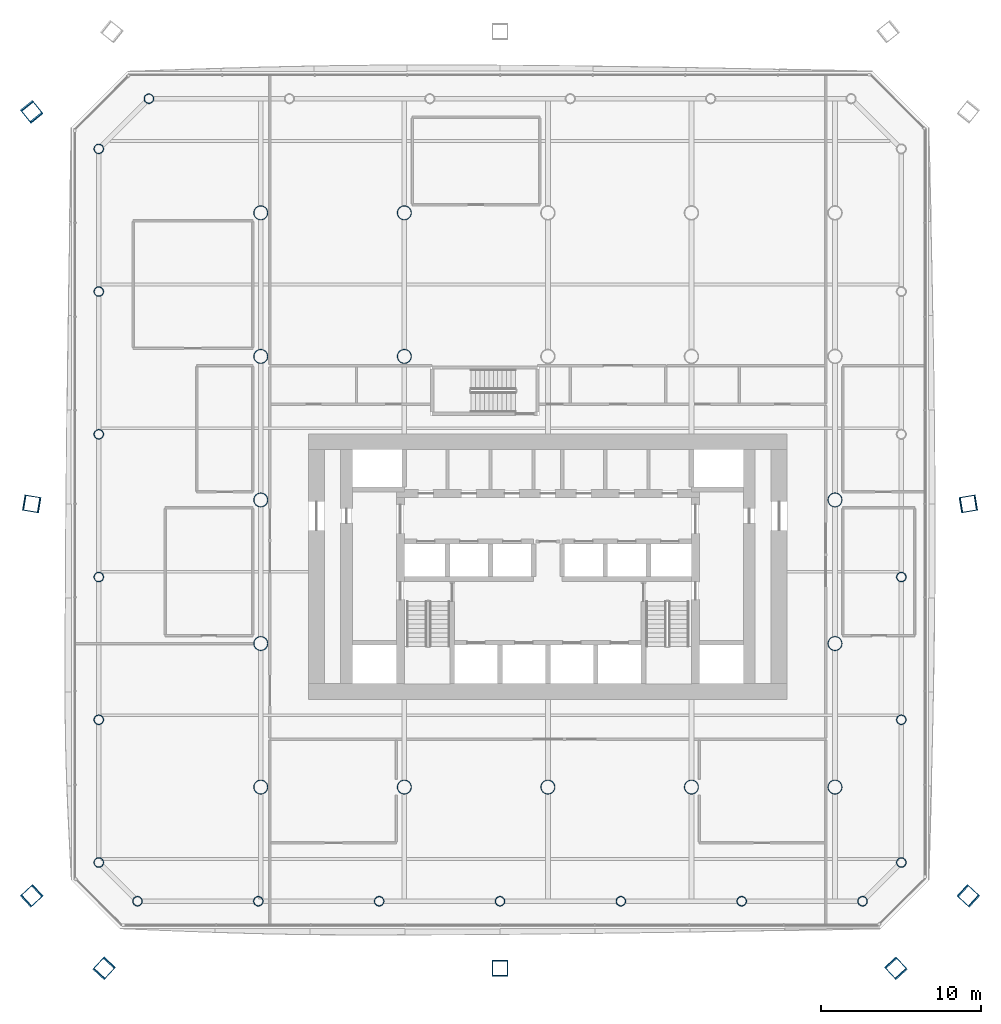
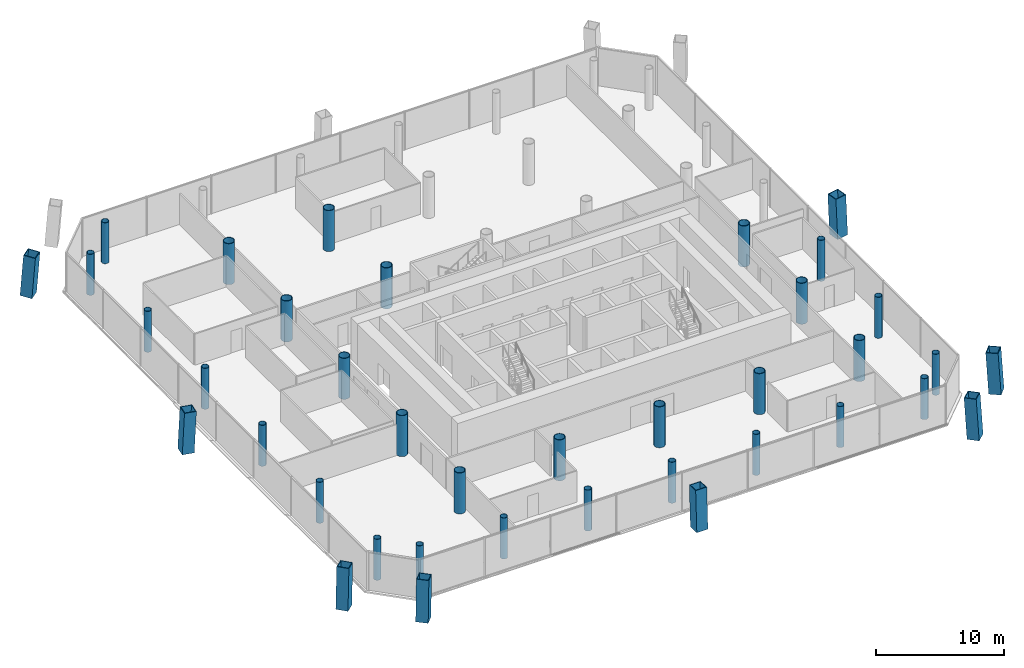
# One storey, part 1 of 21: 38 columns.
"""IFC4 building model written with IfcOpenShell, lengths in metres."""

from ifc_helpers import new_model, si_unit, direction, frame, origin, origin_2d, place, context, subcontext, project, spatial, hollow_rectangle, hollow_circle, extrude, material, material_profile, profile_set, type_object, element, save


model = new_model("IFC4")

# Units and contexts
model_context = context("Model", 3, precision=1e-05, world=origin(), true_north=direction((0.0, 1.0)))
body_context = subcontext(model_context, "Body", "Model", "MODEL_VIEW")
ifc_project = project(units=[si_unit("LENGTHUNIT", "METRE"), si_unit("AREAUNIT", "SQUARE_METRE"), si_unit("VOLUMEUNIT", "CUBIC_METRE"), si_unit("PLANEANGLEUNIT", "RADIAN"), si_unit("MASSUNIT", "GRAM", prefix="KILO")], contexts=[model_context])

# Site, building, storey
site_placement = place(None, origin())
site = spatial("IfcSite", under=ifc_project, at=site_placement, CompositionType="ELEMENT")
building_placement = place(site_placement, origin())
building = spatial("IfcBuilding", under=site, at=building_placement, Name="Tskaro Facet Tower", CompositionType="ELEMENT")
storey_placement = place(building_placement, frame((0.0, 0.0, 42.0)))
storey = spatial("IfcBuildingStorey", under=building, at=storey_placement, Name="L09", CompositionType="ELEMENT", Elevation=42.0)

# Columns
ifc_material_1 = material(Name="Steel S460M", Category="steel")
ifc_material_profile_1 = material_profile(ifc_material_1, hollow_rectangle(XDim=1.0, YDim=1.0, WallThickness=0.06005859375, at=origin_2d()), Name="BOX 1000x1000x60")
ifc_profile_set_1 = profile_set([ifc_material_profile_1], Name="Steel S460M")
column_type_1 = type_object("IfcColumnType", Name="BOX 1000x1000x60 mega column", PredefinedType="COLUMN", material=ifc_profile_set_1)
column_1_placement = place(storey_placement, frame((-27.846923828125, -29.388916015625, 0.0), z_axis=(0.042734014709, 0.04654508912, 0.998001682697), x_axis=(-0.736620357353, 0.676306475744, 0.0)))
element("IfcColumn", 1, at=column_1_placement, inside=storey, type_object=column_type_1, Name="BOX 1000x1000x60 MC01/1", PredefinedType="COLUMN", context=body_context, shape_type="SweptSolid", body=[
    extrude(hollow_rectangle(XDim=1.0, YDim=1.0, WallThickness=0.06005859375, at=origin_2d()), origin(), (0.0, 0.0, 1.0), 3.90771484375),
])
column_2_placement = place(storey_placement, frame((-3.0, -29.388916015625, 0.0), z_axis=(0.0, 0.046587647648, 0.998914206069), x_axis=(-1.0, 0.0, 0.0)))
element("IfcColumn", 2, at=column_2_placement, inside=storey, type_object=column_type_1, Name="BOX 1000x1000x60 MC02/1", PredefinedType="COLUMN", context=body_context, shape_type="SweptSolid", body=[
    extrude(hollow_rectangle(XDim=1.0, YDim=1.0, WallThickness=0.06005859375, at=origin_2d()), origin(), (0.0, 0.0, 1.0), 3.904052734375),
])
for number, where, z_axis, x_axis, name in (
    (3, (21.846923828125, -29.388916015625, 0.0), (-0.042734014709, 0.04654508912, 0.998001682697), (-0.736620357353, -0.676306475744, 0.0), "BOX 1000x1000x60 MC03/1"),
    (4, (26.388916015625, -24.846923828125, 0.0), (-0.04654508912, 0.042734014709, 0.998001682697), (-0.676306475744, -0.736620357353, 0.0), "BOX 1000x1000x60 MC04/1"),
):
    element("IfcColumn", number, at=place(storey_placement, frame(where, z_axis=z_axis, x_axis=x_axis)), inside=storey, type_object=column_type_1, Name=name, PredefinedType="COLUMN", context=body_context, shape_type="SweptSolid", body=[
        extrude(hollow_rectangle(XDim=1.0, YDim=1.0, WallThickness=0.06005859375, at=origin_2d()), origin(), (0.0, 0.0, 1.0), 3.90771484375),
    ])
column_3_placement = place(storey_placement, frame((26.388916015625, -0.239013671875, 0.0), z_axis=(-0.046586269611, -0.007691424379, 0.998884658744), x_axis=(0.162895476227, -0.986643331617, 0.0)))
element("IfcColumn", 5, at=column_3_placement, inside=storey, type_object=column_type_1, Name="BOX 1000x1000x60 MC05/1", PredefinedType="COLUMN", context=body_context, shape_type="SweptSolid", body=[
    extrude(hollow_rectangle(XDim=1.0, YDim=1.0, WallThickness=0.06005859375, at=origin_2d()), origin(), (0.0, 0.0, 1.0), 3.904296875),
])
column_4_placement = place(storey_placement, frame((-32.388916015625, 24.368896484375, 0.0), z_axis=(0.046509231833, -0.057996075669, 0.997232844706), x_axis=(0.78013092104, 0.625616292976, 0.0)))
element("IfcColumn", 6, at=column_4_placement, inside=storey, type_object=column_type_1, Name="BOX 1000x1000x60 MC10/1", PredefinedType="COLUMN", context=body_context, shape_type="SweptSolid", body=[
    extrude(hollow_rectangle(XDim=1.0, YDim=1.0, WallThickness=0.06005859375, at=origin_2d()), origin(), (0.0, 0.0, 1.0), 3.91064453125),
])
column_5_placement = place(storey_placement, frame((-32.388916015625, -0.239013671875, 0.0), z_axis=(0.046586269611, -0.007691424379, 0.998884658744), x_axis=(0.162895476227, 0.986643331617, 0.0)))
element("IfcColumn", 7, at=column_5_placement, inside=storey, type_object=column_type_1, Name="BOX 1000x1000x60 MC11/1", PredefinedType="COLUMN", context=body_context, shape_type="SweptSolid", body=[
    extrude(hollow_rectangle(XDim=1.0, YDim=1.0, WallThickness=0.06005859375, at=origin_2d()), origin(), (0.0, 0.0, 1.0), 3.904296875),
])
column_6_placement = place(storey_placement, frame((-32.388916015625, -24.846923828125, 0.0), z_axis=(0.04654508912, 0.042734014709, 0.998001682697), x_axis=(-0.676306475744, 0.736620357353, 0.0)))
element("IfcColumn", 8, at=column_6_placement, inside=storey, type_object=column_type_1, Name="BOX 1000x1000x60 MC12/1", PredefinedType="COLUMN", context=body_context, shape_type="SweptSolid", body=[
    extrude(hollow_rectangle(XDim=1.0, YDim=1.0, WallThickness=0.06005859375, at=origin_2d()), origin(), (0.0, 0.0, 1.0), 3.90771484375),
])
ifc_material_2 = material(Name="Steel S355J2H", Category="steel")
ifc_material_profile_2 = material_profile(ifc_material_2, hollow_circle(Radius=0.304931640625, WallThickness=0.030029296875, at=origin_2d()), Name="CHS 610x30")
ifc_profile_set_2 = profile_set([ifc_material_profile_2], Name="Steel S355J2H")
column_type_2 = type_object("IfcColumnType", Name="CHS 610x30 ring column", PredefinedType="COLUMN", material=ifc_profile_set_2)
for number, where, z_axis, x_axis, name in (
    (9, (-25.72900390625, -25.156982421875, 0.0), (0.0, 0.0, 1.0), (1.0, 0.0, 0.0), "CHS 610x30 RS-1/1"),
    (10, (-18.153076171875, -25.156982421875, 0.0), (0.0, 0.0, 1.0), (1.0, 0.0, 0.0), "CHS 610x30 RS-2/1"),
    (11, (-10.575927734375, -25.156982421875, 0.0), (0.0, 0.0, 1.0), (1.0, 0.0, 0.0), "CHS 610x30 RS-3/1"),
    (12, (-3.0, -25.156982421875, 0.0), (0.0, 0.0, 1.0), (1.0, 0.0, 0.0), "CHS 610x30 RS-4/1"),
    (13, (4.575927734375, -25.156982421875, 0.0), (0.0, 0.0, 1.0), (1.0, 0.0, 0.0), "CHS 610x30 RS-5/1"),
    (14, (12.153076171875, -25.156982421875, 0.0), (0.0, 0.0, 1.0), (1.0, 0.0, 0.0), "CHS 610x30 RS-6/1"),
    (15, (19.72900390625, -25.156982421875, 0.0), (0.0, 0.0, 1.0), (1.0, 0.0, 0.0), "CHS 610x30 RSE-1/1"),
    (16, (22.156982421875, -22.72900390625, 0.0), (0.0, 0.0, 1.0), (1.0, 0.0, 0.0), "CHS 610x30 RE-1/1"),
    (17, (22.156982421875, -13.781005859375, 0.0), (0.0, 0.0, 1.0), (1.0, 0.0, 0.0), "CHS 610x30 RE-2/1"),
    (18, (22.156982421875, -4.8330078125, 0.0), (0.0, 0.0, 1.0), (1.0, 0.0, 0.0), "CHS 610x30 RE-3/1"),
    (19, (-25.011962890625, 25.156982421875, 0.0), (0.0, 0.0, 1.0), (1.0, 0.0, 0.0), "CHS 610x30 RNW-1/1"),
    (20, (-28.156982421875, 22.011962890625, 0.0), (0.0, 0.0, 1.0), (1.0, 0.0, 0.0), "CHS 610x30 RW-1/1"),
    (21, (-28.156982421875, 13.06396484375, 0.0), (0.0, 0.0, 1.0), (1.0, 0.0, 0.0), "CHS 610x30 RW-2/1"),
    (22, (-28.156982421875, 4.115966796875, 0.0), (0.0, 0.0, 1.0), (1.0, 0.0, 0.0), "CHS 610x30 RW-3/1"),
    (23, (-28.156982421875, -4.8330078125, 0.0), (0.0, 0.0, 1.0), (1.0, 0.0, 0.0), "CHS 610x30 RW-4/1"),
    (24, (-28.156982421875, -13.781005859375, 0.0), (0.0, 0.0, 1.0), (1.0, 0.0, 0.0), "CHS 610x30 RW-5/1"),
    (25, (-28.156982421875, -22.72900390625, 0.0), (0.0, 0.0, 1.0), (1.0, 0.0, 0.0), "CHS 610x30 RSW-1/1"),
):
    element("IfcColumn", number, at=place(storey_placement, frame(where, z_axis=z_axis, x_axis=x_axis)), inside=storey, type_object=column_type_2, Name=name, PredefinedType="COLUMN", context=body_context, shape_type="SweptSolid", body=[
        extrude(hollow_circle(Radius=0.304931640625, WallThickness=0.030029296875, at=origin_2d()), origin(), (0.0, 0.0, 1.0), 3.89990234375),
    ])
ifc_material_profile_3 = material_profile(ifc_material_2, hollow_circle(Radius=0.457275390625, WallThickness=0.050048828125, at=origin_2d()), Name="CHS 914.4x50")
ifc_profile_set_3 = profile_set([ifc_material_profile_3], Name="Steel S355J2H")
column_type_3 = type_object("IfcColumnType", Name="CHS 914.4x50 interior column", PredefinedType="COLUMN", material=ifc_profile_set_3)
for number, where, z_axis, x_axis, name in (
    (26, (-18.0, -18.0, 0.0), (0.0, 0.0, 1.0), (1.0, 0.0, 0.0), "CHS 914.4x50 C2B/1"),
    (27, (-18.0, -9.0, 0.0), (0.0, 0.0, 1.0), (1.0, 0.0, 0.0), "CHS 914.4x50 C2C/1"),
    (28, (-18.0, 0.0, 0.0), (0.0, 0.0, 1.0), (1.0, 0.0, 0.0), "CHS 914.4x50 C2D/1"),
    (29, (-18.0, 9.0, 0.0), (0.0, 0.0, 1.0), (1.0, 0.0, 0.0), "CHS 914.4x50 C2E/1"),
    (30, (-18.0, 18.0, 0.0), (0.0, 0.0, 1.0), (1.0, 0.0, 0.0), "CHS 914.4x50 C2F/1"),
    (31, (-9.0, -18.0, 0.0), (0.0, 0.0, 1.0), (1.0, 0.0, 0.0), "CHS 914.4x50 C3B/1"),
    (32, (-9.0, 9.0, 0.0), (0.0, 0.0, 1.0), (1.0, 0.0, 0.0), "CHS 914.4x50 C3E/1"),
    (33, (-9.0, 18.0, 0.0), (0.0, 0.0, 1.0), (1.0, 0.0, 0.0), "CHS 914.4x50 C3F/1"),
    (34, (0.0, -18.0, 0.0), (0.0, 0.0, 1.0), (1.0, 0.0, 0.0), "CHS 914.4x50 C4B/1"),
    (35, (9.0, -18.0, 0.0), (0.0, 0.0, 1.0), (1.0, 0.0, 0.0), "CHS 914.4x50 C5B/1"),
    (36, (18.0, -18.0, 0.0), (0.0, 0.0, 1.0), (1.0, 0.0, 0.0), "CHS 914.4x50 C6B/1"),
    (37, (18.0, -9.0, 0.0), (0.0, 0.0, 1.0), (1.0, 0.0, 0.0), "CHS 914.4x50 C6C/1"),
    (38, (18.0, 0.0, 0.0), (0.0, 0.0, 1.0), (1.0, 0.0, 0.0), "CHS 914.4x50 C6D/1"),
):
    element("IfcColumn", number, at=place(storey_placement, frame(where, z_axis=z_axis, x_axis=x_axis)), inside=storey, type_object=column_type_3, Name=name, PredefinedType="COLUMN", context=body_context, shape_type="SweptSolid", body=[
        extrude(hollow_circle(Radius=0.457275390625, WallThickness=0.050048828125, at=origin_2d()), origin(), (0.0, 0.0, 1.0), 3.89990234375),
    ])

save(model, "model.ifc")
